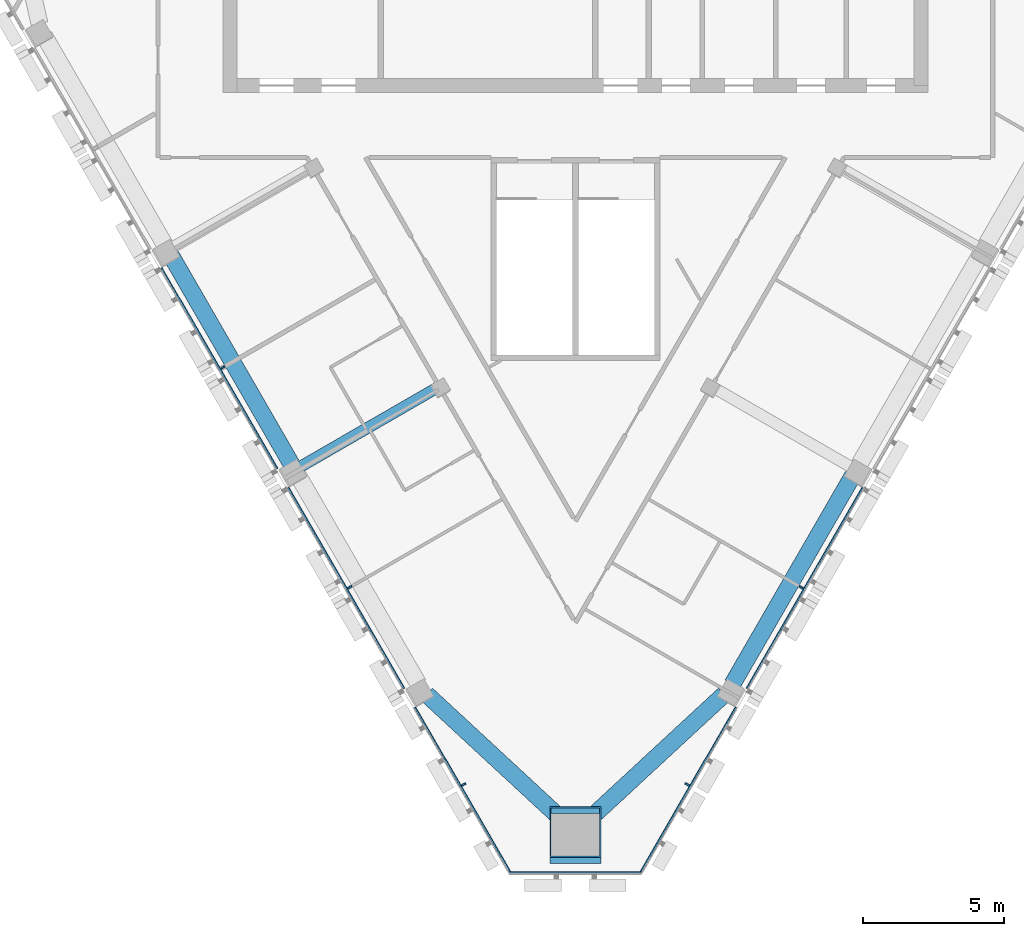
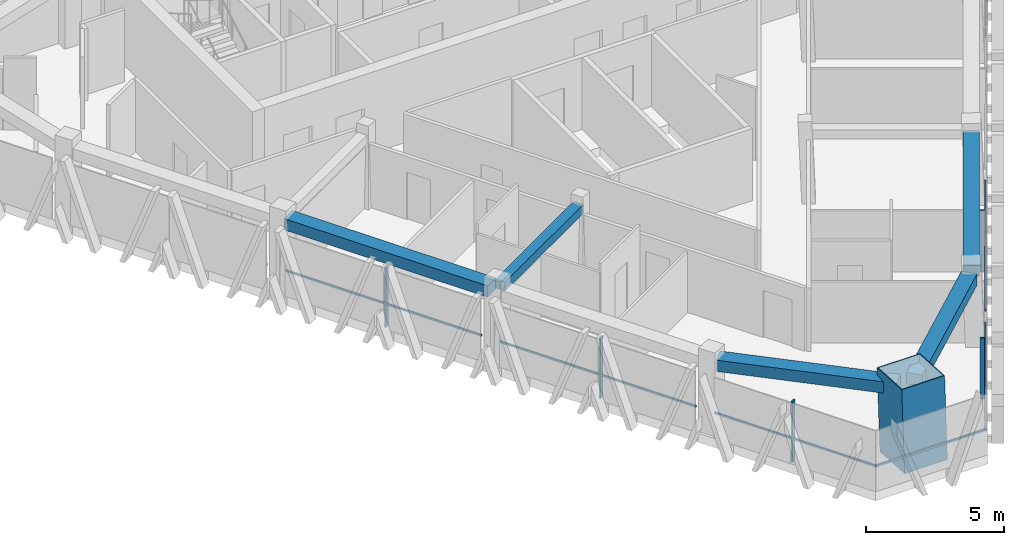
# One storey, part 2 of 12: 12 members, 5 beams, 3 elements without a shape of their own.
"""IFC4 building model written with IfcOpenShell, lengths in metres."""

from ifc_helpers import new_model, si_unit, direction, frame, origin, origin_2d, place, context, subcontext, project, spatial, rectangle, hollow_rectangle, extrude, material, layer, layer_set, material_profile, profile_set, type_object, element, aggregate, save


model = new_model("IFC4")

# Units and contexts
model_context = context("Model", 3, precision=1e-05, world=origin(), true_north=direction((0.0, 1.0)))
body_context = subcontext(model_context, "Body", "Model", "MODEL_VIEW")
ifc_project = project(units=[si_unit("LENGTHUNIT", "METRE"), si_unit("AREAUNIT", "SQUARE_METRE"), si_unit("VOLUMEUNIT", "CUBIC_METRE"), si_unit("PLANEANGLEUNIT", "RADIAN"), si_unit("MASSUNIT", "GRAM", prefix="KILO")], contexts=[model_context])

# Site, building, storey
site_placement = place(None, origin())
site = spatial("IfcSite", under=ifc_project, at=site_placement, CompositionType="ELEMENT")
building_placement = place(site_placement, origin())
building = spatial("IfcBuilding", under=site, at=building_placement, Name="Altiplano Prism Tower", CompositionType="ELEMENT")
storey_placement = place(building_placement, frame((0.0, 0.0, 275.199951171875)))
storey = spatial("IfcBuildingStorey", under=building, at=storey_placement, Name="L71", CompositionType="ELEMENT", Elevation=275.199951171875)

# Curtain wall, members
ifc_material_1 = material(Name="Aluminium and glass", Category="aluminium")
ifc_layer = layer(ifc_material_1, 0.280029296875)
ifc_layer_set = layer_set([ifc_layer], Name="Aluminium and glass")
curtain_wall_type = type_object("IfcCurtainWallType", Name="CW1 typical co-living unitised curtain wall", PredefinedType="NOTDEFINED", material=ifc_layer_set)
curtain_wall_1_placement = place(storey_placement, origin())
curtain_wall_1 = element("IfcCurtainWall", 1, at=curtain_wall_1_placement, inside=storey, type_object=curtain_wall_type, Name="CW1 curtain wall south-west face L71", PredefinedType="NOTDEFINED")
ifc_material_2 = material(Name="Aluminium", Category="aluminium")
ifc_material_profile_1 = material_profile(ifc_material_2, rectangle(XDim=0.179931640625, YDim=0.06494140625, at=origin_2d()), Name="CW1 mullion 65 x 180")
ifc_profile_set_1 = profile_set([ifc_material_profile_1], Name="Aluminium")
member_type_1 = type_object("IfcMemberType", Name="CW1 mullion 65 x 180", PredefinedType="MULLION", material=ifc_profile_set_1)
member_1_placement = place(storey_placement, frame((72.492919921875, 83.14697265625, 0.0), z_axis=(0.0, 0.0, 1.0), x_axis=(0.866025405879, 0.499999996372, 0.0)))
member_1 = element("IfcMember", 2, at=member_1_placement, type_object=member_type_1, Name="CW1 mullion", PredefinedType="MULLION", context=body_context, shape_type="SweptSolid", body=[
    extrude(rectangle(XDim=0.179931640625, YDim=0.06494140625, at=origin_2d()), origin(), (0.0, 0.0, 1.0), 2.699951171875),
])
member_2_placement = place(storey_placement, frame((76.992919921875, 75.352783203125, 0.0), z_axis=(0.0, 0.0, 1.0), x_axis=(0.866025405879, 0.499999996372, 0.0)))
member_2 = element("IfcMember", 3, at=member_2_placement, type_object=member_type_1, Name="CW1 mullion", PredefinedType="MULLION", context=body_context, shape_type="SweptSolid", body=[
    extrude(rectangle(XDim=0.179931640625, YDim=0.06494140625, at=origin_2d()), origin(), (0.0, 0.0, 1.0), 2.699951171875),
])
member_3_placement = place(storey_placement, frame((81.0302734375, 68.359619140625, 0.0), z_axis=(0.0, 0.0, 1.0), x_axis=(0.866025405879, 0.499999996372, 0.0)))
member_3 = element("IfcMember", 4, at=member_3_placement, type_object=member_type_1, Name="CW1 mullion", PredefinedType="MULLION", context=body_context, shape_type="SweptSolid", body=[
    extrude(rectangle(XDim=0.179931640625, YDim=0.06494140625, at=origin_2d()), origin(), (0.0, 0.0, 1.0), 2.699951171875),
])

curtain_wall_2_placement = place(storey_placement, origin())
curtain_wall_2 = element("IfcCurtainWall", 5, at=curtain_wall_2_placement, inside=storey, type_object=curtain_wall_type, Name="CW1 curtain wall south-east face L71", PredefinedType="NOTDEFINED")
member_4_placement = place(storey_placement, frame((88.9697265625, 68.359619140625, 0.0), z_axis=(0.0, 0.0, 1.0), x_axis=(-0.866025405879, 0.499999996372, 0.0)))
member_4 = element("IfcMember", 6, at=member_4_placement, type_object=member_type_1, Name="CW1 mullion", PredefinedType="MULLION", context=body_context, shape_type="SweptSolid", body=[
    extrude(rectangle(XDim=0.179931640625, YDim=0.06494140625, at=origin_2d()), origin(), (0.0, 0.0, 1.0), 2.699951171875),
])
member_5_placement = place(storey_placement, frame((93.007080078125, 75.352783203125, 0.0), z_axis=(0.0, 0.0, 1.0), x_axis=(-0.866025405879, 0.499999996372, 0.0)))
member_5 = element("IfcMember", 7, at=member_5_placement, type_object=member_type_1, Name="CW1 mullion", PredefinedType="MULLION", context=body_context, shape_type="SweptSolid", body=[
    extrude(rectangle(XDim=0.179931640625, YDim=0.06494140625, at=origin_2d()), origin(), (0.0, 0.0, 1.0), 2.699951171875),
])

# Member
ifc_material_profile_2 = material_profile(ifc_material_2, rectangle(XDim=0.06005859375, YDim=0.080078125, at=origin_2d()), Name="CW1 transom 80 x 60")
ifc_profile_set_2 = profile_set([ifc_material_profile_2], Name="Aluminium")
member_type_2 = type_object("IfcMemberType", Name="CW1 transom 80 x 60", PredefinedType="USERDEFINED", material=ifc_profile_set_2)
member_6_placement = place(storey_placement, frame((70.314208984375, 86.680419921875, 1.10009765625), z_axis=(0.500004415232, -0.866022854634, 0.0), x_axis=(0.866022854634, 0.500004415232, 0.0)))
member_6 = element("IfcMember", 8, at=member_6_placement, type_object=member_type_2, Name="CW1 transom", ObjectType="TRANSOM", PredefinedType="USERDEFINED", context=body_context, shape_type="SweptSolid", body=[
    extrude(rectangle(XDim=0.06005859375, YDim=0.080078125, at=origin_2d()), origin(), (0.0, 0.0, 1.0), 8.2197265625),
])

member_7_placement = place(storey_placement, frame((74.814208984375, 78.88623046875, 1.10009765625), z_axis=(0.499991554064, -0.866030279993, 0.0), x_axis=(0.866030279993, 0.499991554064, 0.0)))
member_7 = element("IfcMember", 9, at=member_7_placement, type_object=member_type_2, Name="CW1 transom", ObjectType="TRANSOM", PredefinedType="USERDEFINED", context=body_context, shape_type="SweptSolid", body=[
    extrude(rectangle(XDim=0.06005859375, YDim=0.080078125, at=origin_2d()), origin(), (0.0, 0.0, 1.0), 8.219970703125),
])

member_8_placement = place(storey_placement, frame((79.314208984375, 71.092041015625, 1.10009765625), z_axis=(0.499997006947, -0.866027131817, 0.0), x_axis=(0.866027131817, 0.499997006947, 0.0)))
member_8 = element("IfcMember", 10, at=member_8_placement, type_object=member_type_2, Name="CW1 transom", ObjectType="TRANSOM", PredefinedType="USERDEFINED", context=body_context, shape_type="SweptSolid", body=[
    extrude(rectangle(XDim=0.06005859375, YDim=0.080078125, at=origin_2d()), origin(), (0.0, 0.0, 1.0), 6.79931640625),
])

aggregate(curtain_wall_1, [member_1, member_6, member_2, member_7, member_3, member_8])

# Curtain wall, member
curtain_wall_3_placement = place(storey_placement, origin())
curtain_wall_3 = element("IfcCurtainWall", 11, at=curtain_wall_3_placement, inside=storey, type_object=curtain_wall_type, Name="CW1 curtain wall south chamfer L71", PredefinedType="NOTDEFINED")
member_9_placement = place(storey_placement, frame((82.6533203125, 65.238525390625, 1.10009765625), z_axis=(1.0, 0.0, 0.0), x_axis=(0.0, 1.0, 0.0)))
member_9 = element("IfcMember", 12, at=member_9_placement, type_object=member_type_2, Name="CW1 transom", ObjectType="TRANSOM", PredefinedType="USERDEFINED", context=body_context, shape_type="SweptSolid", body=[
    extrude(rectangle(XDim=0.06005859375, YDim=0.080078125, at=origin_2d()), origin(), (0.0, 0.0, 1.0), 4.693359375),
])
aggregate(curtain_wall_3, [member_9])

# Member
member_10_placement = place(storey_placement, frame((87.2861328125, 65.20361328125, 1.10009765625), z_axis=(0.499997006947, 0.866027131817, 0.0), x_axis=(-0.866027131817, 0.499997006947, 0.0)))
member_10 = element("IfcMember", 13, at=member_10_placement, type_object=member_type_2, Name="CW1 transom", ObjectType="TRANSOM", PredefinedType="USERDEFINED", context=body_context, shape_type="SweptSolid", body=[
    extrude(rectangle(XDim=0.06005859375, YDim=0.080078125, at=origin_2d()), origin(), (0.0, 0.0, 1.0), 6.79931640625),
])

member_11_placement = place(storey_placement, frame((91.075927734375, 71.767578125, 1.10009765625), z_axis=(0.499991554064, 0.866030279993, 0.0), x_axis=(-0.866030279993, 0.499991554064, 0.0)))
member_11 = element("IfcMember", 14, at=member_11_placement, type_object=member_type_2, Name="CW1 transom", ObjectType="TRANSOM", PredefinedType="USERDEFINED", context=body_context, shape_type="SweptSolid", body=[
    extrude(rectangle(XDim=0.06005859375, YDim=0.080078125, at=origin_2d()), origin(), (0.0, 0.0, 1.0), 8.219970703125),
])

aggregate(curtain_wall_2, [member_4, member_10, member_5, member_11])

# Beams
ifc_material_3 = material(Name="Concrete C60/75", Category="concrete")
ifc_material_profile_3 = material_profile(ifc_material_3, rectangle(XDim=0.60009765625, YDim=0.5, at=origin_2d()), Name="Edge beam 600x500")
ifc_profile_set_3 = profile_set([ifc_material_profile_3], Name="Concrete C60/75")
beam_type_1 = type_object("IfcBeamType", Name="Edge beam 600x500", PredefinedType="SPANDREL", material=ifc_profile_set_3)
beam_1_placement = place(storey_placement, frame((70.6630859375, 87.113525390625, 2.949951171875), z_axis=(0.499994660107, -0.866028486751, 0.0), x_axis=(0.866028486751, 0.499994660107, 0.0)))
element("IfcBeam", 15, at=beam_1_placement, inside=storey, type_object=beam_type_1, Name="Edge beam P12-P13 L72", PredefinedType="SPANDREL", context=body_context, shape_type="SweptSolid", body=[
    extrude(rectangle(XDim=0.60009765625, YDim=0.5, at=origin_2d()), origin(), (0.0, 0.0, 1.0), 8.5400390625),
])
for number, where, z_axis, x_axis, name in (
    (16, (79.728759765625, 71.556884765625, 2.949951171875), (0.733957509796, -0.679195387067, 0.0), (0.679195387067, 0.733957509796, 0.0), "Edge beam P14-M1 L72"),
    (17, (85.330322265625, 66.984619140625, 2.949951171875), (0.733957509796, 0.679195387067, 0.0), (-0.679195387067, 0.733957509796, 0.0), "Edge beam M1-P21 L72"),
):
    element("IfcBeam", number, at=place(storey_placement, frame(where, z_axis=z_axis, x_axis=x_axis)), inside=storey, type_object=beam_type_1, Name=name, PredefinedType="SPANDREL", context=body_context, shape_type="SweptSolid", body=[
        extrude(rectangle(XDim=0.60009765625, YDim=0.5, at=origin_2d()), origin(), (0.0, 0.0, 1.0), 6.73193359375),
    ])
beam_2_placement = place(storey_placement, frame((90.56689453125, 71.92333984375, 2.949951171875), z_axis=(0.499994660107, 0.866028486751, 0.0), x_axis=(-0.866028486751, 0.499994660107, 0.0)))
element("IfcBeam", 18, at=beam_2_placement, inside=storey, type_object=beam_type_1, Name="Edge beam P21-P22 L72", PredefinedType="SPANDREL", context=body_context, shape_type="SweptSolid", body=[
    extrude(rectangle(XDim=0.60009765625, YDim=0.5, at=origin_2d()), origin(), (0.0, 0.0, 1.0), 8.5400390625),
])

# Member
ifc_material_4 = material(Name="Steel S460", Category="steel")
ifc_material_profile_4 = material_profile(ifc_material_4, hollow_rectangle(XDim=1.800048828125, YDim=1.800048828125, WallThickness=0.0400390625, at=origin_2d()), Name="Mega column tube 1800")
ifc_profile_set_4 = profile_set([ifc_material_profile_4], Name="Steel S460")
member_type_3 = type_object("IfcMemberType", Name="Mega column tube 1800", PredefinedType="POST", material=ifc_profile_set_4)
member_12_placement = place(storey_placement, frame((85.0, 66.468505859375, 0.0), z_axis=(0.0, 0.058356907999, 0.998295783467), x_axis=(-1.0, 0.0, 0.0)))
element("IfcMember", 19, at=member_12_placement, inside=storey, type_object=member_type_3, Name="Mega column tube M1 L71", PredefinedType="POST", context=body_context, shape_type="SweptSolid", body=[
    extrude(hollow_rectangle(XDim=1.800048828125, YDim=1.800048828125, WallThickness=0.0400390625, at=origin_2d()), origin(), (0.0, 0.0, 1.0), 3.606201171875),
])

# Beam
ifc_material_profile_5 = material_profile(ifc_material_3, rectangle(XDim=0.39990234375, YDim=0.39990234375, at=origin_2d()), Name="Tie beam 400x400")
ifc_profile_set_5 = profile_set([ifc_material_profile_5], Name="Concrete C60/75")
beam_type_2 = type_object("IfcBeamType", Name="Tie beam 400x400", PredefinedType="BEAM", material=ifc_profile_set_5)
beam_3_placement = place(storey_placement, frame((80.1748046875, 82.478515625, 3.0), z_axis=(-0.866000515211, -0.500043105796, 0.0), x_axis=(0.500043105796, -0.866000515211, 0.0)))
element("IfcBeam", 20, at=beam_3_placement, inside=storey, type_object=beam_type_2, Name="Tie beam I13 L72", PredefinedType="BEAM", context=body_context, shape_type="SweptSolid", body=[
    extrude(rectangle(XDim=0.39990234375, YDim=0.39990234375, at=origin_2d()), origin(), (0.0, 0.0, 1.0), 5.68994140625),
])

save(model, "model.ifc")
